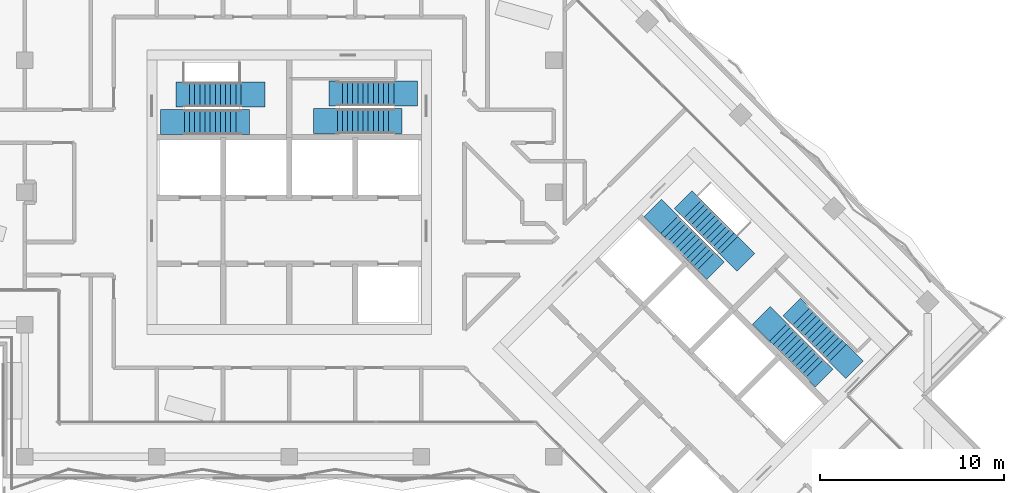
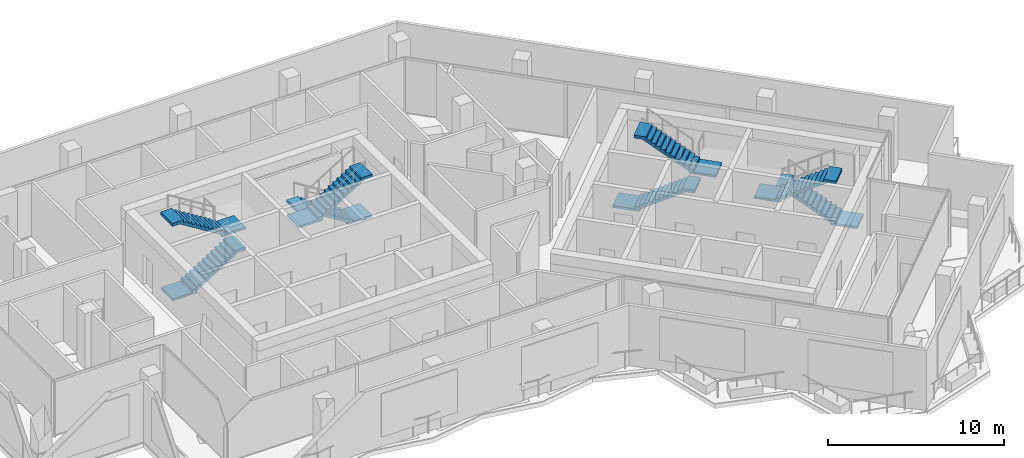
# One storey, part 13 of 19: 8 stair flights, 4 elements without a shape of their own.
"""IFC4 building model written with IfcOpenShell, lengths in metres."""

from ifc_helpers import new_model, si_unit, direction, frame, origin, place, context, subcontext, project, spatial, polyline, outline, extrude, material, type_object, element, aggregate, save


model = new_model("IFC4")

# Units and contexts
model_context = context("Model", 3, precision=1e-05, world=origin(), true_north=direction((0.0, 1.0)))
body_context = subcontext(model_context, "Body", "Model", "MODEL_VIEW")
ifc_project = project(units=[si_unit("LENGTHUNIT", "METRE"), si_unit("AREAUNIT", "SQUARE_METRE"), si_unit("VOLUMEUNIT", "CUBIC_METRE"), si_unit("PLANEANGLEUNIT", "RADIAN"), si_unit("MASSUNIT", "GRAM", prefix="KILO")], contexts=[model_context])

# Site, building, storey
site_placement = place(None, origin())
site = spatial("IfcSite", under=ifc_project, at=site_placement, CompositionType="ELEMENT")
building_placement = place(site_placement, origin())
building = spatial("IfcBuilding", under=site, at=building_placement, Name="Windrow Commons", CompositionType="ELEMENT")
storey_placement = place(building_placement, frame((0.0, 0.0, 176.2)))
storey = spatial("IfcBuildingStorey", under=building, at=storey_placement, Name="L48", CompositionType="ELEMENT", Elevation=176.2)

# Stair, stair flights
ifc_material_1 = material(Name="Concrete C40/50", Category="concrete")
stair_type = type_object("IfcStairType", Name="Core stair", PredefinedType="HALF_TURN_STAIR", material=ifc_material_1)
placement = place(storey_placement, origin())
stair_1 = element("IfcStair", 1, at=placement, inside=storey, type_object=stair_type, Name="L48 Exit stair A1 core A", PredefinedType="HALF_TURN_STAIR")
ifc_material_2 = material(Name="Concrete C40/50", Category="concrete")
stair_flight_type = type_object("IfcStairFlightType", Name="Core stair flight", PredefinedType="STRAIGHT", material=ifc_material_2)
stair_flight_1_placement = place(storey_placement, frame((59.1, 61.425, 0.0), z_axis=(0.0, 0.0, 1.0), x_axis=(1.0, 0.0, 0.0)))
stair_flight_1 = element("IfcStairFlight", 2, at=stair_flight_1_placement, type_object=stair_flight_type, Name="ST-A1 flight 1", NumberOfRisers=12, NumberOfTreads=11, PredefinedType="STRAIGHT", RiserHeight=0.175, TreadLength=0.28, context=body_context, shape_type="SweptSolid", body=[
    extrude(outline(polyline([(-1.3, -0.15), (-1.3, 0.0), (0.0, 0.0), (0.0, 0.175), (0.28, 0.175), (0.28, 0.35), (0.56, 0.35), (0.56, 0.525), (0.84, 0.525), (0.84, 0.7), (1.12, 0.7), (1.12, 0.875), (1.4, 0.875), (1.4, 1.05), (1.68, 1.05), (1.68, 1.225), (1.96, 1.225), (1.96, 1.4), (2.24, 1.4), (2.24, 1.575), (2.52, 1.575), (2.52, 1.75), (2.8, 1.75), (2.8, 1.925), (3.08, 1.925), (3.53, 1.925), (3.53, 1.725), (3.08, 1.725), (3.08, 1.7481), (0.283, 0.0), (0.283, -0.15), (-1.3, -0.15)])), frame((0.0, 0.675, 0.0), z_axis=(0.0, -1.0, 0.0), x_axis=(1.0, 0.0, 0.0)), (0.0, 0.0, 1.0), 1.35),
])
stair_flight_2_placement = place(storey_placement, frame((62.18, 62.925, 2.1), z_axis=(0.0, 0.0, 1.0), x_axis=(-1.0, 0.0, 0.0)))
stair_flight_2 = element("IfcStairFlight", 3, at=stair_flight_2_placement, type_object=stair_flight_type, Name="ST-A1 flight 2", NumberOfRisers=12, NumberOfTreads=11, PredefinedType="STRAIGHT", RiserHeight=0.175, TreadLength=0.28, context=body_context, shape_type="SweptSolid", body=[
    extrude(outline(polyline([(-1.3, -0.15), (-1.3, 0.0), (0.0, 0.0), (0.0, 0.175), (0.28, 0.175), (0.28, 0.35), (0.56, 0.35), (0.56, 0.525), (0.84, 0.525), (0.84, 0.7), (1.12, 0.7), (1.12, 0.875), (1.4, 0.875), (1.4, 1.05), (1.68, 1.05), (1.68, 1.225), (1.96, 1.225), (1.96, 1.4), (2.24, 1.4), (2.24, 1.575), (2.52, 1.575), (2.52, 1.75), (2.8, 1.75), (2.8, 1.925), (3.08, 1.925), (3.53, 1.925), (3.53, 1.725), (3.08, 1.725), (3.08, 1.7481), (0.283, 0.0), (0.283, -0.15), (-1.3, -0.15)])), frame((0.0, 0.675, 0.0), z_axis=(0.0, -1.0, 0.0), x_axis=(1.0, 0.0, 0.0)), (0.0, 0.0, 1.0), 1.35),
])
aggregate(stair_1, [stair_flight_1, stair_flight_2])

stair_2 = element("IfcStair", 4, at=placement, inside=storey, type_object=stair_type, Name="L48 Exit stair A2 core A", PredefinedType="HALF_TURN_STAIR")
stair_flight_3_placement = place(storey_placement, frame((70.5, 62.98, 0.0), z_axis=(0.0, 0.0, 1.0), x_axis=(-1.0, 0.0, 0.0)))
stair_flight_3 = element("IfcStairFlight", 5, at=stair_flight_3_placement, type_object=stair_flight_type, Name="ST-A2 flight 1", NumberOfRisers=12, NumberOfTreads=11, PredefinedType="STRAIGHT", RiserHeight=0.175, TreadLength=0.28, context=body_context, shape_type="SweptSolid", body=[
    extrude(outline(polyline([(-1.3, -0.15), (-1.3, 0.0), (0.0, 0.0), (0.0, 0.175), (0.28, 0.175), (0.28, 0.35), (0.56, 0.35), (0.56, 0.525), (0.84, 0.525), (0.84, 0.7), (1.12, 0.7), (1.12, 0.875), (1.4, 0.875), (1.4, 1.05), (1.68, 1.05), (1.68, 1.225), (1.96, 1.225), (1.96, 1.4), (2.24, 1.4), (2.24, 1.575), (2.52, 1.575), (2.52, 1.75), (2.8, 1.75), (2.8, 1.925), (3.08, 1.925), (3.53, 1.925), (3.53, 1.725), (3.08, 1.725), (3.08, 1.7481), (0.283, 0.0), (0.283, -0.15), (-1.3, -0.15)])), frame((0.0, 0.675, 0.0), z_axis=(0.0, -1.0, 0.0), x_axis=(1.0, 0.0, 0.0)), (0.0, 0.0, 1.0), 1.35),
])
stair_flight_4_placement = place(storey_placement, frame((67.42, 61.48, 2.1), z_axis=(0.0, 0.0, 1.0), x_axis=(1.0, 0.0, 0.0)))
stair_flight_4 = element("IfcStairFlight", 6, at=stair_flight_4_placement, type_object=stair_flight_type, Name="ST-A2 flight 2", NumberOfRisers=12, NumberOfTreads=11, PredefinedType="STRAIGHT", RiserHeight=0.175, TreadLength=0.28, context=body_context, shape_type="SweptSolid", body=[
    extrude(outline(polyline([(-1.3, -0.15), (-1.3, 0.0), (0.0, 0.0), (0.0, 0.175), (0.28, 0.175), (0.28, 0.35), (0.56, 0.35), (0.56, 0.525), (0.84, 0.525), (0.84, 0.7), (1.12, 0.7), (1.12, 0.875), (1.4, 0.875), (1.4, 1.05), (1.68, 1.05), (1.68, 1.225), (1.96, 1.225), (1.96, 1.4), (2.24, 1.4), (2.24, 1.575), (2.52, 1.575), (2.52, 1.75), (2.8, 1.75), (2.8, 1.925), (3.08, 1.925), (3.53, 1.925), (3.53, 1.725), (3.08, 1.725), (3.08, 1.7481), (0.283, 0.0), (0.283, -0.15), (-1.3, -0.15)])), frame((0.0, 0.675, 0.0), z_axis=(0.0, -1.0, 0.0), x_axis=(1.0, 0.0, 0.0)), (0.0, 0.0, 1.0), 1.35),
])
aggregate(stair_2, [stair_flight_3, stair_flight_4])

stair_3 = element("IfcStair", 7, at=placement, inside=storey, type_object=stair_type, Name="L48 Exit stair B1 core B", PredefinedType="HALF_TURN_STAIR")
stair_flight_5_placement = place(storey_placement, frame((85.5109, 55.8249, 0.0), z_axis=(0.0, 0.0, 1.0), x_axis=(0.7071067812, -0.7071067812, 0.0)))
stair_flight_5 = element("IfcStairFlight", 8, at=stair_flight_5_placement, type_object=stair_flight_type, Name="ST-B1 flight 1", NumberOfRisers=12, NumberOfTreads=11, PredefinedType="STRAIGHT", RiserHeight=0.175, TreadLength=0.28, context=body_context, shape_type="SweptSolid", body=[
    extrude(outline(polyline([(-1.3, -0.15), (-1.3, 0.0), (0.0, 0.0), (0.0, 0.175), (0.28, 0.175), (0.28, 0.35), (0.56, 0.35), (0.56, 0.525), (0.84, 0.525), (0.84, 0.7), (1.12, 0.7), (1.12, 0.875), (1.4, 0.875), (1.4, 1.05), (1.68, 1.05), (1.68, 1.225), (1.96, 1.225), (1.96, 1.4), (2.24, 1.4), (2.24, 1.575), (2.52, 1.575), (2.52, 1.75), (2.8, 1.75), (2.8, 1.925), (3.08, 1.925), (3.53, 1.925), (3.53, 1.725), (3.08, 1.725), (3.08, 1.7481), (0.283, 0.0), (0.283, -0.15), (-1.3, -0.15)])), frame((0.0, 0.675, 0.0), z_axis=(0.0, -1.0, 0.0), x_axis=(1.0, 0.0, 0.0)), (0.0, 0.0, 1.0), 1.35),
])
stair_flight_6_placement = place(storey_placement, frame((88.7495, 54.7077, 2.1), z_axis=(0.0, 0.0, 1.0), x_axis=(-0.7071067812, 0.7071067812, 0.0)))
stair_flight_6 = element("IfcStairFlight", 9, at=stair_flight_6_placement, type_object=stair_flight_type, Name="ST-B1 flight 2", NumberOfRisers=12, NumberOfTreads=11, PredefinedType="STRAIGHT", RiserHeight=0.175, TreadLength=0.28, context=body_context, shape_type="SweptSolid", body=[
    extrude(outline(polyline([(-1.3, -0.15), (-1.3, 0.0), (0.0, 0.0), (0.0, 0.175), (0.28, 0.175), (0.28, 0.35), (0.56, 0.35), (0.56, 0.525), (0.84, 0.525), (0.84, 0.7), (1.12, 0.7), (1.12, 0.875), (1.4, 0.875), (1.4, 1.05), (1.68, 1.05), (1.68, 1.225), (1.96, 1.225), (1.96, 1.4), (2.24, 1.4), (2.24, 1.575), (2.52, 1.575), (2.52, 1.75), (2.8, 1.75), (2.8, 1.925), (3.08, 1.925), (3.53, 1.925), (3.53, 1.725), (3.08, 1.725), (3.08, 1.7481), (0.283, 0.0), (0.283, -0.15), (-1.3, -0.15)])), frame((0.0, 0.675, 0.0), z_axis=(0.0, -1.0, 0.0), x_axis=(1.0, 0.0, 0.0)), (0.0, 0.0, 1.0), 1.35),
])
aggregate(stair_3, [stair_flight_5, stair_flight_6])

stair_4 = element("IfcStair", 10, at=placement, inside=storey, type_object=stair_type, Name="L48 Exit stair B2 core B", PredefinedType="HALF_TURN_STAIR")
stair_flight_7_placement = place(storey_placement, frame((94.6715, 48.8635, 0.0), z_axis=(0.0, 0.0, 1.0), x_axis=(-0.7071067812, 0.7071067812, 0.0)))
stair_flight_7 = element("IfcStairFlight", 11, at=stair_flight_7_placement, type_object=stair_flight_type, Name="ST-B2 flight 1", NumberOfRisers=12, NumberOfTreads=11, PredefinedType="STRAIGHT", RiserHeight=0.175, TreadLength=0.28, context=body_context, shape_type="SweptSolid", body=[
    extrude(outline(polyline([(-1.3, -0.15), (-1.3, 0.0), (0.0, 0.0), (0.0, 0.175), (0.28, 0.175), (0.28, 0.35), (0.56, 0.35), (0.56, 0.525), (0.84, 0.525), (0.84, 0.7), (1.12, 0.7), (1.12, 0.875), (1.4, 0.875), (1.4, 1.05), (1.68, 1.05), (1.68, 1.225), (1.96, 1.225), (1.96, 1.4), (2.24, 1.4), (2.24, 1.575), (2.52, 1.575), (2.52, 1.75), (2.8, 1.75), (2.8, 1.925), (3.08, 1.925), (3.53, 1.925), (3.53, 1.725), (3.08, 1.725), (3.08, 1.7481), (0.283, 0.0), (0.283, -0.15), (-1.3, -0.15)])), frame((0.0, 0.675, 0.0), z_axis=(0.0, -1.0, 0.0), x_axis=(1.0, 0.0, 0.0)), (0.0, 0.0, 1.0), 1.35),
])
stair_flight_8_placement = place(storey_placement, frame((91.4329, 49.9807, 2.1), z_axis=(0.0, 0.0, 1.0), x_axis=(0.7071067812, -0.7071067812, 0.0)))
stair_flight_8 = element("IfcStairFlight", 12, at=stair_flight_8_placement, type_object=stair_flight_type, Name="ST-B2 flight 2", NumberOfRisers=12, NumberOfTreads=11, PredefinedType="STRAIGHT", RiserHeight=0.175, TreadLength=0.28, context=body_context, shape_type="SweptSolid", body=[
    extrude(outline(polyline([(-1.3, -0.15), (-1.3, 0.0), (0.0, 0.0), (0.0, 0.175), (0.28, 0.175), (0.28, 0.35), (0.56, 0.35), (0.56, 0.525), (0.84, 0.525), (0.84, 0.7), (1.12, 0.7), (1.12, 0.875), (1.4, 0.875), (1.4, 1.05), (1.68, 1.05), (1.68, 1.225), (1.96, 1.225), (1.96, 1.4), (2.24, 1.4), (2.24, 1.575), (2.52, 1.575), (2.52, 1.75), (2.8, 1.75), (2.8, 1.925), (3.08, 1.925), (3.53, 1.925), (3.53, 1.725), (3.08, 1.725), (3.08, 1.7481), (0.283, 0.0), (0.283, -0.15), (-1.3, -0.15)])), frame((0.0, 0.675, 0.0), z_axis=(0.0, -1.0, 0.0), x_axis=(1.0, 0.0, 0.0)), (0.0, 0.0, 1.0), 1.35),
])
aggregate(stair_4, [stair_flight_7, stair_flight_8])

save(model, "model.ifc")
